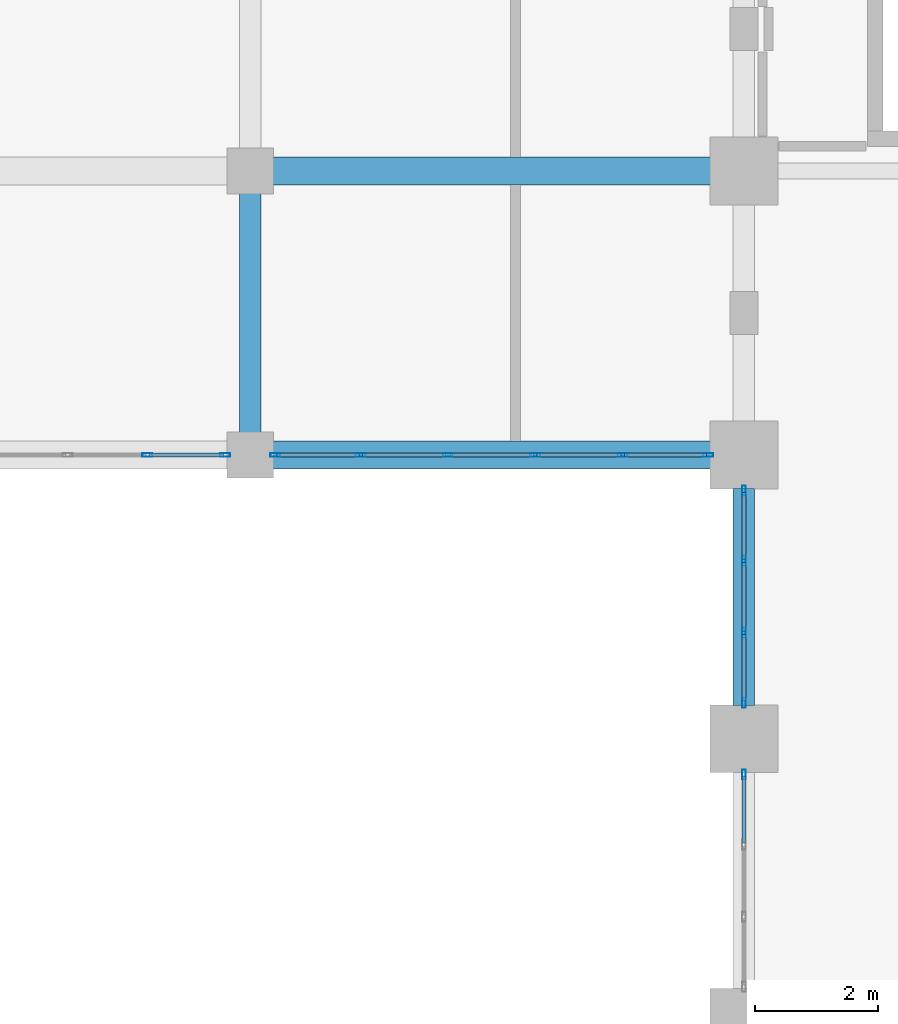
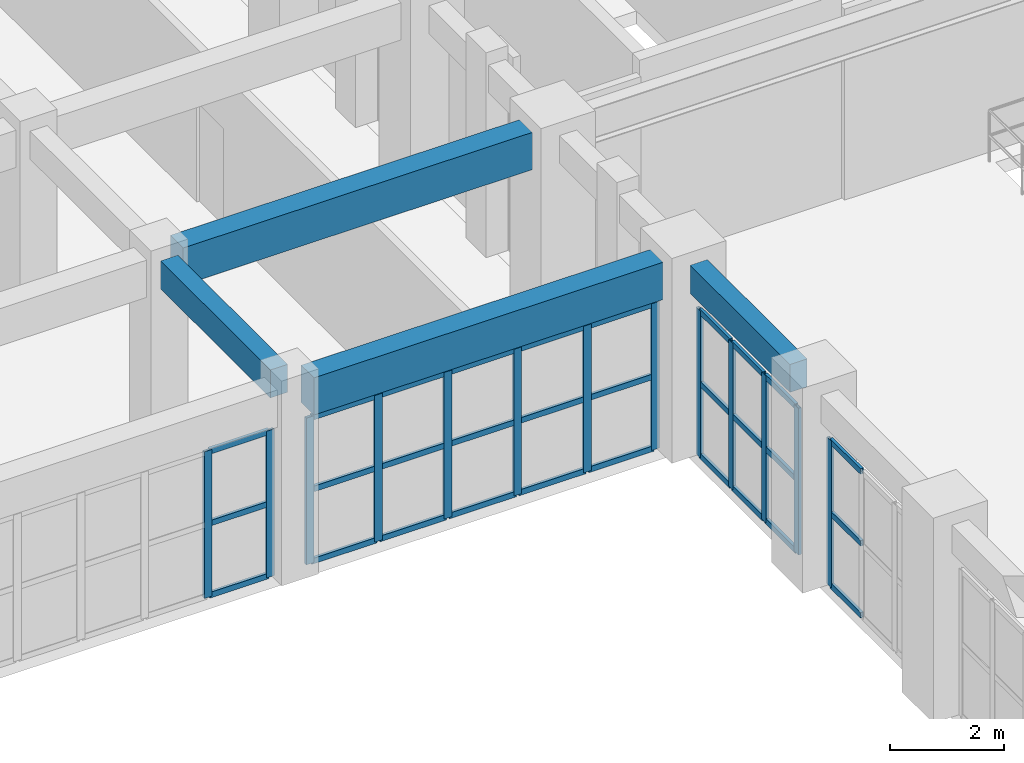
# One storey, part 17 of 90: 43 members, 4 beams, 4 elements without a shape of their own.
"""IFC4 building model written with IfcOpenShell, lengths in metres."""

from ifc_helpers import new_model, si_unit, direction, frame, origin, origin_2d, place, context, subcontext, project, spatial, rectangle, hollow_rectangle, extrude, material, layer, layer_set, material_profile, profile_set, type_object, element, aggregate, save


model = new_model("IFC4")

# Units and contexts
model_context = context("Model", 3, precision=1e-05, world=origin(), true_north=direction((0.0, 1.0)))
body_context = subcontext(model_context, "Body", "Model", "MODEL_VIEW")
ifc_project = project(units=[si_unit("LENGTHUNIT", "METRE"), si_unit("AREAUNIT", "SQUARE_METRE"), si_unit("VOLUMEUNIT", "CUBIC_METRE"), si_unit("PLANEANGLEUNIT", "RADIAN"), si_unit("MASSUNIT", "GRAM", prefix="KILO")], contexts=[model_context])

# Site, building, storey
site_placement = place(None, origin())
site = spatial("IfcSite", under=ifc_project, at=site_placement, CompositionType="ELEMENT")
building_placement = place(site_placement, origin())
building = spatial("IfcBuilding", under=site, at=building_placement, Name="Muzn Square Opera House", CompositionType="ELEMENT")
storey_placement = place(building_placement, frame((0.0, 0.0, 9.800048828125)))
storey = spatial("IfcBuildingStorey", under=building, at=storey_placement, Name="L02", CompositionType="ELEMENT", Elevation=9.800048828125)

# Curtain wall, member
ifc_material_1 = material(Name="Low-E laminated acoustic double glazing", Category="glass")
ifc_layer_1 = layer(ifc_material_1, 0.159912109375, Name="Low-E laminated acoustic double glazing", Category="glass")
ifc_layer_set_1 = layer_set([ifc_layer_1], Name="Low-E laminated acoustic double glazing")
curtain_wall_type_1 = type_object("IfcCurtainWallType", Name="Glazed Curtain Wall WestVaultCourt 3500x3150", PredefinedType="USERDEFINED", material=ifc_layer_set_1)
curtain_wall_1_placement = place(storey_placement, origin())
curtain_wall_1 = element("IfcCurtainWall", 1, at=curtain_wall_1_placement, inside=storey, type_object=curtain_wall_type_1, Name="Glazed Curtain Wall CW-L02-055", ObjectType="GLAZED CURTAIN WALL", PredefinedType="USERDEFINED")
ifc_material_2 = material(Name="Anodised bronze aluminium 6063-T6", Category="metal")
ifc_material_profile_1 = material_profile(ifc_material_2, hollow_rectangle(XDim=0.06005859375, YDim=0.159912109375, WallThickness=0.00390625, at=origin_2d()), Name="ALU 160x60x4", Category="metal")
ifc_profile_set_1 = profile_set([ifc_material_profile_1], Name="Anodised bronze aluminium 6063-T6")
member_type_1 = type_object("IfcMemberType", Name="Curtain Wall Mullion 160x60", PredefinedType="MULLION", material=ifc_profile_set_1)
member_1_placement = place(storey_placement, frame((43.0, 49.02001953125, 0.0), z_axis=(0.0, 0.0, 1.0), x_axis=(-1.0, 0.0, 0.0)))
member_1 = element("IfcMember", 2, at=member_1_placement, type_object=member_type_1, Name="CW-WVC-35x31 mullion 4", PredefinedType="MULLION", context=body_context, shape_type="SweptSolid", body=[
    extrude(hollow_rectangle(XDim=0.06005859375, YDim=0.159912109375, WallThickness=0.00390625, at=origin_2d()), origin(), (0.0, 0.0, 1.0), 3.14990234375),
])

# Curtain wall, members
curtain_wall_2_placement = place(storey_placement, origin())
curtain_wall_2 = element("IfcCurtainWall", 3, at=curtain_wall_2_placement, inside=storey, type_object=curtain_wall_type_1, Name="Glazed Curtain Wall CW-L02-057", ObjectType="GLAZED CURTAIN WALL", PredefinedType="USERDEFINED")
member_2_placement = place(storey_placement, frame((43.0, 50.179931640625, 0.0), z_axis=(0.0, 0.0, 1.0), x_axis=(-1.0, 0.0, 0.0)))
member_2 = element("IfcMember", 4, at=member_2_placement, type_object=member_type_1, Name="CW-WVC-35x31 mullion 1", PredefinedType="MULLION", context=body_context, shape_type="SweptSolid", body=[
    extrude(hollow_rectangle(XDim=0.06005859375, YDim=0.159912109375, WallThickness=0.00390625, at=origin_2d()), origin(), (0.0, 0.0, 1.0), 3.14990234375),
])
member_3_placement = place(storey_placement, frame((43.0, 51.316650390625, 0.0), z_axis=(0.0, 0.0, 1.0), x_axis=(-1.0, 0.0, 0.0)))
member_3 = element("IfcMember", 5, at=member_3_placement, type_object=member_type_1, Name="CW-WVC-35x31 mullion 2", PredefinedType="MULLION", context=body_context, shape_type="SweptSolid", body=[
    extrude(hollow_rectangle(XDim=0.06005859375, YDim=0.159912109375, WallThickness=0.00390625, at=origin_2d()), origin(), (0.0, 0.0, 1.0), 3.14990234375),
])
member_4_placement = place(storey_placement, frame((43.0, 52.4833984375, 0.0), z_axis=(0.0, 0.0, 1.0), x_axis=(-1.0, 0.0, 0.0)))
member_4 = element("IfcMember", 6, at=member_4_placement, type_object=member_type_1, Name="CW-WVC-35x31 mullion 3", PredefinedType="MULLION", context=body_context, shape_type="SweptSolid", body=[
    extrude(hollow_rectangle(XDim=0.06005859375, YDim=0.159912109375, WallThickness=0.00390625, at=origin_2d()), origin(), (0.0, 0.0, 1.0), 3.14990234375),
])
member_5_placement = place(storey_placement, frame((43.0, 53.6201171875, 0.0), z_axis=(0.0, 0.0, 1.0), x_axis=(-1.0, 0.0, 0.0)))
member_5 = element("IfcMember", 7, at=member_5_placement, type_object=member_type_1, Name="CW-WVC-35x31 mullion 4", PredefinedType="MULLION", context=body_context, shape_type="SweptSolid", body=[
    extrude(hollow_rectangle(XDim=0.06005859375, YDim=0.159912109375, WallThickness=0.00390625, at=origin_2d()), origin(), (0.0, 0.0, 1.0), 3.14990234375),
])

ifc_layer_2 = layer(ifc_material_1, 0.159912109375, Name="Low-E laminated acoustic double glazing", Category="glass")
ifc_layer_set_2 = layer_set([ifc_layer_2], Name="Low-E laminated acoustic double glazing")
curtain_wall_type_2 = type_object("IfcCurtainWallType", Name="Glazed Curtain Wall WestCloisterN 7750x3150", PredefinedType="USERDEFINED", material=ifc_layer_set_2)
curtain_wall_3_placement = place(storey_placement, origin())
curtain_wall_3 = element("IfcCurtainWall", 8, at=curtain_wall_3_placement, inside=storey, type_object=curtain_wall_type_2, Name="Glazed Curtain Wall CW-L02-096", ObjectType="GLAZED CURTAIN WALL", PredefinedType="USERDEFINED")
member_6_placement = place(storey_placement, frame((33.333251953125, 54.199951171875, 0.0), z_axis=(0.0, 0.0, 1.0), x_axis=(0.0, 1.0, 0.0)))
member_6 = element("IfcMember", 9, at=member_6_placement, type_object=member_type_1, Name="CW-WCN-77x31 mullion 6", PredefinedType="MULLION", context=body_context, shape_type="SweptSolid", body=[
    extrude(hollow_rectangle(XDim=0.06005859375, YDim=0.159912109375, WallThickness=0.00390625, at=origin_2d()), origin(), (0.0, 0.0, 1.0), 3.14990234375),
])
member_7_placement = place(storey_placement, frame((34.594970703125, 54.199951171875, 0.0), z_axis=(0.0, 0.0, 1.0), x_axis=(0.0, 1.0, 0.0)))
member_7 = element("IfcMember", 10, at=member_7_placement, type_object=member_type_1, Name="CW-WCN-77x31 mullion 7", PredefinedType="MULLION", context=body_context, shape_type="SweptSolid", body=[
    extrude(hollow_rectangle(XDim=0.06005859375, YDim=0.159912109375, WallThickness=0.00390625, at=origin_2d()), origin(), (0.0, 0.0, 1.0), 3.14990234375),
])

ifc_layer_3 = layer(ifc_material_1, 0.159912109375, Name="Low-E laminated acoustic double glazing", Category="glass")
ifc_layer_set_3 = layer_set([ifc_layer_3], Name="Low-E laminated acoustic double glazing")
curtain_wall_type_3 = type_object("IfcCurtainWallType", Name="Glazed Curtain Wall WestCloisterN 7075x3150", PredefinedType="USERDEFINED", material=ifc_layer_set_3)
curtain_wall_4_placement = place(storey_placement, origin())
curtain_wall_4 = element("IfcCurtainWall", 11, at=curtain_wall_4_placement, inside=storey, type_object=curtain_wall_type_3, Name="Glazed Curtain Wall CW-L02-098", ObjectType="GLAZED CURTAIN WALL", PredefinedType="USERDEFINED")
member_8_placement = place(storey_placement, frame((35.405029296875, 54.199951171875, 0.0), z_axis=(0.0, 0.0, 1.0), x_axis=(0.0, 1.0, 0.0)))
member_8 = element("IfcMember", 12, at=member_8_placement, type_object=member_type_1, Name="CW-WCN-70x31 mullion 1", PredefinedType="MULLION", context=body_context, shape_type="SweptSolid", body=[
    extrude(hollow_rectangle(XDim=0.06005859375, YDim=0.159912109375, WallThickness=0.00390625, at=origin_2d()), origin(), (0.0, 0.0, 1.0), 3.14990234375),
])
member_9_placement = place(storey_placement, frame((36.7900390625, 54.199951171875, 0.0), z_axis=(0.0, 0.0, 1.0), x_axis=(0.0, 1.0, 0.0)))
member_9 = element("IfcMember", 13, at=member_9_placement, type_object=member_type_1, Name="CW-WCN-70x31 mullion 2", PredefinedType="MULLION", context=body_context, shape_type="SweptSolid", body=[
    extrude(hollow_rectangle(XDim=0.06005859375, YDim=0.159912109375, WallThickness=0.00390625, at=origin_2d()), origin(), (0.0, 0.0, 1.0), 3.14990234375),
])
member_10_placement = place(storey_placement, frame((38.205078125, 54.199951171875, 0.0), z_axis=(0.0, 0.0, 1.0), x_axis=(0.0, 1.0, 0.0)))
member_10 = element("IfcMember", 14, at=member_10_placement, type_object=member_type_1, Name="CW-WCN-70x31 mullion 3", PredefinedType="MULLION", context=body_context, shape_type="SweptSolid", body=[
    extrude(hollow_rectangle(XDim=0.06005859375, YDim=0.159912109375, WallThickness=0.00390625, at=origin_2d()), origin(), (0.0, 0.0, 1.0), 3.14990234375),
])
member_11_placement = place(storey_placement, frame((39.6201171875, 54.199951171875, 0.0), z_axis=(0.0, 0.0, 1.0), x_axis=(0.0, 1.0, 0.0)))
member_11 = element("IfcMember", 15, at=member_11_placement, type_object=member_type_1, Name="CW-WCN-70x31 mullion 4", PredefinedType="MULLION", context=body_context, shape_type="SweptSolid", body=[
    extrude(hollow_rectangle(XDim=0.06005859375, YDim=0.159912109375, WallThickness=0.00390625, at=origin_2d()), origin(), (0.0, 0.0, 1.0), 3.14990234375),
])
member_12_placement = place(storey_placement, frame((41.034912109375, 54.199951171875, 0.0), z_axis=(0.0, 0.0, 1.0), x_axis=(0.0, 1.0, 0.0)))
member_12 = element("IfcMember", 16, at=member_12_placement, type_object=member_type_1, Name="CW-WCN-70x31 mullion 5", PredefinedType="MULLION", context=body_context, shape_type="SweptSolid", body=[
    extrude(hollow_rectangle(XDim=0.06005859375, YDim=0.159912109375, WallThickness=0.00390625, at=origin_2d()), origin(), (0.0, 0.0, 1.0), 3.14990234375),
])
member_13_placement = place(storey_placement, frame((42.419921875, 54.199951171875, 0.0), z_axis=(0.0, 0.0, 1.0), x_axis=(0.0, 1.0, 0.0)))
member_13 = element("IfcMember", 17, at=member_13_placement, type_object=member_type_1, Name="CW-WCN-70x31 mullion 6", PredefinedType="MULLION", context=body_context, shape_type="SweptSolid", body=[
    extrude(hollow_rectangle(XDim=0.06005859375, YDim=0.159912109375, WallThickness=0.00390625, at=origin_2d()), origin(), (0.0, 0.0, 1.0), 3.14990234375),
])

# Member
ifc_material_profile_2 = material_profile(ifc_material_2, hollow_rectangle(XDim=0.06005859375, YDim=0.1201171875, WallThickness=0.00390625, at=origin_2d()), Name="ALU 120x60x4", Category="metal")
ifc_profile_set_2 = profile_set([ifc_material_profile_2], Name="Anodised bronze aluminium 6063-T6")
member_type_2 = type_object("IfcMemberType", Name="Curtain Wall Transom 120x60", PredefinedType="USERDEFINED", material=ifc_profile_set_2)
member_14_placement = place(storey_placement, frame((43.0, 47.913330078125, 0.030029296875), z_axis=(0.0, 1.0, 0.0), x_axis=(-1.0, 0.0, 0.0)))
member_14 = element("IfcMember", 18, at=member_14_placement, type_object=member_type_2, Name="CW-WVC-35x31 transom 3.1", ObjectType="TRANSOM", PredefinedType="USERDEFINED", context=body_context, shape_type="SweptSolid", body=[
    extrude(hollow_rectangle(XDim=0.06005859375, YDim=0.1201171875, WallThickness=0.00390625, at=origin_2d()), origin(), (0.0, 0.0, 1.0), 1.07666015625),
])

member_15_placement = place(storey_placement, frame((43.0, 47.913330078125, 1.574951171875), z_axis=(0.0, 1.0, 0.0), x_axis=(-1.0, 0.0, 0.0)))
member_15 = element("IfcMember", 19, at=member_15_placement, type_object=member_type_2, Name="CW-WVC-35x31 transom 3.2", ObjectType="TRANSOM", PredefinedType="USERDEFINED", context=body_context, shape_type="SweptSolid", body=[
    extrude(hollow_rectangle(XDim=0.06005859375, YDim=0.1201171875, WallThickness=0.00390625, at=origin_2d()), origin(), (0.0, 0.0, 1.0), 1.07666015625),
])

member_16_placement = place(storey_placement, frame((43.0, 47.913330078125, 3.119873046875), z_axis=(0.0, 1.0, 0.0), x_axis=(-1.0, 0.0, 0.0)))
member_16 = element("IfcMember", 20, at=member_16_placement, type_object=member_type_2, Name="CW-WVC-35x31 transom 3.3", ObjectType="TRANSOM", PredefinedType="USERDEFINED", context=body_context, shape_type="SweptSolid", body=[
    extrude(hollow_rectangle(XDim=0.06005859375, YDim=0.1201171875, WallThickness=0.00390625, at=origin_2d()), origin(), (0.0, 0.0, 1.0), 1.07666015625),
])

aggregate(curtain_wall_1, [member_1, member_14, member_15, member_16])

member_17_placement = place(storey_placement, frame((43.0, 50.2099609375, 0.030029296875), z_axis=(0.0, 1.0, 0.0), x_axis=(-1.0, 0.0, 0.0)))
member_17 = element("IfcMember", 21, at=member_17_placement, type_object=member_type_2, Name="CW-WVC-35x31 transom 1.1", ObjectType="TRANSOM", PredefinedType="USERDEFINED", context=body_context, shape_type="SweptSolid", body=[
    extrude(hollow_rectangle(XDim=0.06005859375, YDim=0.1201171875, WallThickness=0.00390625, at=origin_2d()), origin(), (0.0, 0.0, 1.0), 1.07666015625),
])

member_18_placement = place(storey_placement, frame((43.0, 50.2099609375, 1.574951171875), z_axis=(0.0, 1.0, 0.0), x_axis=(-1.0, 0.0, 0.0)))
member_18 = element("IfcMember", 22, at=member_18_placement, type_object=member_type_2, Name="CW-WVC-35x31 transom 1.2", ObjectType="TRANSOM", PredefinedType="USERDEFINED", context=body_context, shape_type="SweptSolid", body=[
    extrude(hollow_rectangle(XDim=0.06005859375, YDim=0.1201171875, WallThickness=0.00390625, at=origin_2d()), origin(), (0.0, 0.0, 1.0), 1.07666015625),
])

member_19_placement = place(storey_placement, frame((43.0, 50.2099609375, 3.119873046875), z_axis=(0.0, 1.0, 0.0), x_axis=(-1.0, 0.0, 0.0)))
member_19 = element("IfcMember", 23, at=member_19_placement, type_object=member_type_2, Name="CW-WVC-35x31 transom 1.3", ObjectType="TRANSOM", PredefinedType="USERDEFINED", context=body_context, shape_type="SweptSolid", body=[
    extrude(hollow_rectangle(XDim=0.06005859375, YDim=0.1201171875, WallThickness=0.00390625, at=origin_2d()), origin(), (0.0, 0.0, 1.0), 1.07666015625),
])

member_20_placement = place(storey_placement, frame((43.0, 51.3466796875, 0.030029296875), z_axis=(0.0, 1.0, 0.0), x_axis=(-1.0, 0.0, 0.0)))
member_20 = element("IfcMember", 24, at=member_20_placement, type_object=member_type_2, Name="CW-WVC-35x31 transom 2.1", ObjectType="TRANSOM", PredefinedType="USERDEFINED", context=body_context, shape_type="SweptSolid", body=[
    extrude(hollow_rectangle(XDim=0.06005859375, YDim=0.1201171875, WallThickness=0.00390625, at=origin_2d()), origin(), (0.0, 0.0, 1.0), 1.106689453125),
])

member_21_placement = place(storey_placement, frame((43.0, 51.3466796875, 1.574951171875), z_axis=(0.0, 1.0, 0.0), x_axis=(-1.0, 0.0, 0.0)))
member_21 = element("IfcMember", 25, at=member_21_placement, type_object=member_type_2, Name="CW-WVC-35x31 transom 2.2", ObjectType="TRANSOM", PredefinedType="USERDEFINED", context=body_context, shape_type="SweptSolid", body=[
    extrude(hollow_rectangle(XDim=0.06005859375, YDim=0.1201171875, WallThickness=0.00390625, at=origin_2d()), origin(), (0.0, 0.0, 1.0), 1.106689453125),
])

member_22_placement = place(storey_placement, frame((43.0, 51.3466796875, 3.119873046875), z_axis=(0.0, 1.0, 0.0), x_axis=(-1.0, 0.0, 0.0)))
member_22 = element("IfcMember", 26, at=member_22_placement, type_object=member_type_2, Name="CW-WVC-35x31 transom 2.3", ObjectType="TRANSOM", PredefinedType="USERDEFINED", context=body_context, shape_type="SweptSolid", body=[
    extrude(hollow_rectangle(XDim=0.06005859375, YDim=0.1201171875, WallThickness=0.00390625, at=origin_2d()), origin(), (0.0, 0.0, 1.0), 1.106689453125),
])

member_23_placement = place(storey_placement, frame((43.0, 52.513427734375, 0.030029296875), z_axis=(0.0, 1.0, 0.0), x_axis=(-1.0, 0.0, 0.0)))
member_23 = element("IfcMember", 27, at=member_23_placement, type_object=member_type_2, Name="CW-WVC-35x31 transom 3.1", ObjectType="TRANSOM", PredefinedType="USERDEFINED", context=body_context, shape_type="SweptSolid", body=[
    extrude(hollow_rectangle(XDim=0.06005859375, YDim=0.1201171875, WallThickness=0.00390625, at=origin_2d()), origin(), (0.0, 0.0, 1.0), 1.07666015625),
])

member_24_placement = place(storey_placement, frame((43.0, 52.513427734375, 1.574951171875), z_axis=(0.0, 1.0, 0.0), x_axis=(-1.0, 0.0, 0.0)))
member_24 = element("IfcMember", 28, at=member_24_placement, type_object=member_type_2, Name="CW-WVC-35x31 transom 3.2", ObjectType="TRANSOM", PredefinedType="USERDEFINED", context=body_context, shape_type="SweptSolid", body=[
    extrude(hollow_rectangle(XDim=0.06005859375, YDim=0.1201171875, WallThickness=0.00390625, at=origin_2d()), origin(), (0.0, 0.0, 1.0), 1.07666015625),
])

member_25_placement = place(storey_placement, frame((43.0, 52.513427734375, 3.119873046875), z_axis=(0.0, 1.0, 0.0), x_axis=(-1.0, 0.0, 0.0)))
member_25 = element("IfcMember", 29, at=member_25_placement, type_object=member_type_2, Name="CW-WVC-35x31 transom 3.3", ObjectType="TRANSOM", PredefinedType="USERDEFINED", context=body_context, shape_type="SweptSolid", body=[
    extrude(hollow_rectangle(XDim=0.06005859375, YDim=0.1201171875, WallThickness=0.00390625, at=origin_2d()), origin(), (0.0, 0.0, 1.0), 1.07666015625),
])

aggregate(curtain_wall_2, [member_2, member_3, member_4, member_5, member_17, member_18, member_19, member_20, member_21, member_22, member_23, member_24, member_25])

member_26_placement = place(storey_placement, frame((33.36328125, 54.199951171875, 0.030029296875), z_axis=(1.0, 0.0, 0.0), x_axis=(0.0, 1.0, 0.0)))
member_26 = element("IfcMember", 30, at=member_26_placement, type_object=member_type_2, Name="CW-WCN-77x31 transom 6.1", ObjectType="TRANSOM", PredefinedType="USERDEFINED", context=body_context, shape_type="SweptSolid", body=[
    extrude(hollow_rectangle(XDim=0.06005859375, YDim=0.1201171875, WallThickness=0.00390625, at=origin_2d()), origin(), (0.0, 0.0, 1.0), 1.20166015625),
])

member_27_placement = place(storey_placement, frame((33.36328125, 54.199951171875, 1.574951171875), z_axis=(1.0, 0.0, 0.0), x_axis=(0.0, 1.0, 0.0)))
member_27 = element("IfcMember", 31, at=member_27_placement, type_object=member_type_2, Name="CW-WCN-77x31 transom 6.2", ObjectType="TRANSOM", PredefinedType="USERDEFINED", context=body_context, shape_type="SweptSolid", body=[
    extrude(hollow_rectangle(XDim=0.06005859375, YDim=0.1201171875, WallThickness=0.00390625, at=origin_2d()), origin(), (0.0, 0.0, 1.0), 1.20166015625),
])

member_28_placement = place(storey_placement, frame((33.36328125, 54.199951171875, 3.119873046875), z_axis=(1.0, 0.0, 0.0), x_axis=(0.0, 1.0, 0.0)))
member_28 = element("IfcMember", 32, at=member_28_placement, type_object=member_type_2, Name="CW-WCN-77x31 transom 6.3", ObjectType="TRANSOM", PredefinedType="USERDEFINED", context=body_context, shape_type="SweptSolid", body=[
    extrude(hollow_rectangle(XDim=0.06005859375, YDim=0.1201171875, WallThickness=0.00390625, at=origin_2d()), origin(), (0.0, 0.0, 1.0), 1.20166015625),
])

aggregate(curtain_wall_3, [member_6, member_7, member_26, member_27, member_28])

member_29_placement = place(storey_placement, frame((35.43505859375, 54.199951171875, 0.030029296875), z_axis=(1.0, 0.0, 0.0), x_axis=(0.0, 1.0, 0.0)))
member_29 = element("IfcMember", 33, at=member_29_placement, type_object=member_type_2, Name="CW-WCN-70x31 transom 1.1", ObjectType="TRANSOM", PredefinedType="USERDEFINED", context=body_context, shape_type="SweptSolid", body=[
    extrude(hollow_rectangle(XDim=0.06005859375, YDim=0.1201171875, WallThickness=0.00390625, at=origin_2d()), origin(), (0.0, 0.0, 1.0), 1.324951171875),
])

member_30_placement = place(storey_placement, frame((35.43505859375, 54.199951171875, 1.574951171875), z_axis=(1.0, 0.0, 0.0), x_axis=(0.0, 1.0, 0.0)))
member_30 = element("IfcMember", 34, at=member_30_placement, type_object=member_type_2, Name="CW-WCN-70x31 transom 1.2", ObjectType="TRANSOM", PredefinedType="USERDEFINED", context=body_context, shape_type="SweptSolid", body=[
    extrude(hollow_rectangle(XDim=0.06005859375, YDim=0.1201171875, WallThickness=0.00390625, at=origin_2d()), origin(), (0.0, 0.0, 1.0), 1.324951171875),
])

member_31_placement = place(storey_placement, frame((35.43505859375, 54.199951171875, 3.119873046875), z_axis=(1.0, 0.0, 0.0), x_axis=(0.0, 1.0, 0.0)))
member_31 = element("IfcMember", 35, at=member_31_placement, type_object=member_type_2, Name="CW-WCN-70x31 transom 1.3", ObjectType="TRANSOM", PredefinedType="USERDEFINED", context=body_context, shape_type="SweptSolid", body=[
    extrude(hollow_rectangle(XDim=0.06005859375, YDim=0.1201171875, WallThickness=0.00390625, at=origin_2d()), origin(), (0.0, 0.0, 1.0), 1.324951171875),
])

member_32_placement = place(storey_placement, frame((36.820068359375, 54.199951171875, 0.030029296875), z_axis=(1.0, 0.0, 0.0), x_axis=(0.0, 1.0, 0.0)))
member_32 = element("IfcMember", 36, at=member_32_placement, type_object=member_type_2, Name="CW-WCN-70x31 transom 2.1", ObjectType="TRANSOM", PredefinedType="USERDEFINED", context=body_context, shape_type="SweptSolid", body=[
    extrude(hollow_rectangle(XDim=0.06005859375, YDim=0.1201171875, WallThickness=0.00390625, at=origin_2d()), origin(), (0.0, 0.0, 1.0), 1.35498046875),
])

member_33_placement = place(storey_placement, frame((36.820068359375, 54.199951171875, 1.574951171875), z_axis=(1.0, 0.0, 0.0), x_axis=(0.0, 1.0, 0.0)))
member_33 = element("IfcMember", 37, at=member_33_placement, type_object=member_type_2, Name="CW-WCN-70x31 transom 2.2", ObjectType="TRANSOM", PredefinedType="USERDEFINED", context=body_context, shape_type="SweptSolid", body=[
    extrude(hollow_rectangle(XDim=0.06005859375, YDim=0.1201171875, WallThickness=0.00390625, at=origin_2d()), origin(), (0.0, 0.0, 1.0), 1.35498046875),
])

member_34_placement = place(storey_placement, frame((36.820068359375, 54.199951171875, 3.119873046875), z_axis=(1.0, 0.0, 0.0), x_axis=(0.0, 1.0, 0.0)))
member_34 = element("IfcMember", 38, at=member_34_placement, type_object=member_type_2, Name="CW-WCN-70x31 transom 2.3", ObjectType="TRANSOM", PredefinedType="USERDEFINED", context=body_context, shape_type="SweptSolid", body=[
    extrude(hollow_rectangle(XDim=0.06005859375, YDim=0.1201171875, WallThickness=0.00390625, at=origin_2d()), origin(), (0.0, 0.0, 1.0), 1.35498046875),
])

member_35_placement = place(storey_placement, frame((38.235107421875, 54.199951171875, 0.030029296875), z_axis=(1.0, 0.0, 0.0), x_axis=(0.0, 1.0, 0.0)))
member_35 = element("IfcMember", 39, at=member_35_placement, type_object=member_type_2, Name="CW-WCN-70x31 transom 3.1", ObjectType="TRANSOM", PredefinedType="USERDEFINED", context=body_context, shape_type="SweptSolid", body=[
    extrude(hollow_rectangle(XDim=0.06005859375, YDim=0.1201171875, WallThickness=0.00390625, at=origin_2d()), origin(), (0.0, 0.0, 1.0), 1.35498046875),
])

member_36_placement = place(storey_placement, frame((38.235107421875, 54.199951171875, 1.574951171875), z_axis=(1.0, 0.0, 0.0), x_axis=(0.0, 1.0, 0.0)))
member_36 = element("IfcMember", 40, at=member_36_placement, type_object=member_type_2, Name="CW-WCN-70x31 transom 3.2", ObjectType="TRANSOM", PredefinedType="USERDEFINED", context=body_context, shape_type="SweptSolid", body=[
    extrude(hollow_rectangle(XDim=0.06005859375, YDim=0.1201171875, WallThickness=0.00390625, at=origin_2d()), origin(), (0.0, 0.0, 1.0), 1.35498046875),
])

member_37_placement = place(storey_placement, frame((38.235107421875, 54.199951171875, 3.119873046875), z_axis=(1.0, 0.0, 0.0), x_axis=(0.0, 1.0, 0.0)))
member_37 = element("IfcMember", 41, at=member_37_placement, type_object=member_type_2, Name="CW-WCN-70x31 transom 3.3", ObjectType="TRANSOM", PredefinedType="USERDEFINED", context=body_context, shape_type="SweptSolid", body=[
    extrude(hollow_rectangle(XDim=0.06005859375, YDim=0.1201171875, WallThickness=0.00390625, at=origin_2d()), origin(), (0.0, 0.0, 1.0), 1.35498046875),
])

member_38_placement = place(storey_placement, frame((39.64990234375, 54.199951171875, 0.030029296875), z_axis=(1.0, 0.0, 0.0), x_axis=(0.0, 1.0, 0.0)))
member_38 = element("IfcMember", 42, at=member_38_placement, type_object=member_type_2, Name="CW-WCN-70x31 transom 4.1", ObjectType="TRANSOM", PredefinedType="USERDEFINED", context=body_context, shape_type="SweptSolid", body=[
    extrude(hollow_rectangle(XDim=0.06005859375, YDim=0.1201171875, WallThickness=0.00390625, at=origin_2d()), origin(), (0.0, 0.0, 1.0), 1.35498046875),
])

member_39_placement = place(storey_placement, frame((39.64990234375, 54.199951171875, 1.574951171875), z_axis=(1.0, 0.0, 0.0), x_axis=(0.0, 1.0, 0.0)))
member_39 = element("IfcMember", 43, at=member_39_placement, type_object=member_type_2, Name="CW-WCN-70x31 transom 4.2", ObjectType="TRANSOM", PredefinedType="USERDEFINED", context=body_context, shape_type="SweptSolid", body=[
    extrude(hollow_rectangle(XDim=0.06005859375, YDim=0.1201171875, WallThickness=0.00390625, at=origin_2d()), origin(), (0.0, 0.0, 1.0), 1.35498046875),
])

member_40_placement = place(storey_placement, frame((39.64990234375, 54.199951171875, 3.119873046875), z_axis=(1.0, 0.0, 0.0), x_axis=(0.0, 1.0, 0.0)))
member_40 = element("IfcMember", 44, at=member_40_placement, type_object=member_type_2, Name="CW-WCN-70x31 transom 4.3", ObjectType="TRANSOM", PredefinedType="USERDEFINED", context=body_context, shape_type="SweptSolid", body=[
    extrude(hollow_rectangle(XDim=0.06005859375, YDim=0.1201171875, WallThickness=0.00390625, at=origin_2d()), origin(), (0.0, 0.0, 1.0), 1.35498046875),
])

member_41_placement = place(storey_placement, frame((41.06494140625, 54.199951171875, 0.030029296875), z_axis=(1.0, 0.0, 0.0), x_axis=(0.0, 1.0, 0.0)))
member_41 = element("IfcMember", 45, at=member_41_placement, type_object=member_type_2, Name="CW-WCN-70x31 transom 5.1", ObjectType="TRANSOM", PredefinedType="USERDEFINED", context=body_context, shape_type="SweptSolid", body=[
    extrude(hollow_rectangle(XDim=0.06005859375, YDim=0.1201171875, WallThickness=0.00390625, at=origin_2d()), origin(), (0.0, 0.0, 1.0), 1.324951171875),
])

member_42_placement = place(storey_placement, frame((41.06494140625, 54.199951171875, 1.574951171875), z_axis=(1.0, 0.0, 0.0), x_axis=(0.0, 1.0, 0.0)))
member_42 = element("IfcMember", 46, at=member_42_placement, type_object=member_type_2, Name="CW-WCN-70x31 transom 5.2", ObjectType="TRANSOM", PredefinedType="USERDEFINED", context=body_context, shape_type="SweptSolid", body=[
    extrude(hollow_rectangle(XDim=0.06005859375, YDim=0.1201171875, WallThickness=0.00390625, at=origin_2d()), origin(), (0.0, 0.0, 1.0), 1.324951171875),
])

member_43_placement = place(storey_placement, frame((41.06494140625, 54.199951171875, 3.119873046875), z_axis=(1.0, 0.0, 0.0), x_axis=(0.0, 1.0, 0.0)))
member_43 = element("IfcMember", 47, at=member_43_placement, type_object=member_type_2, Name="CW-WCN-70x31 transom 5.3", ObjectType="TRANSOM", PredefinedType="USERDEFINED", context=body_context, shape_type="SweptSolid", body=[
    extrude(hollow_rectangle(XDim=0.06005859375, YDim=0.1201171875, WallThickness=0.00390625, at=origin_2d()), origin(), (0.0, 0.0, 1.0), 1.324951171875),
])

aggregate(curtain_wall_4, [member_8, member_9, member_10, member_11, member_12, member_13, member_29, member_30, member_31, member_32, member_33, member_34, member_35, member_36, member_37, member_38, member_39, member_40, member_41, member_42, member_43])

# Beams
ifc_material_3 = material(Name="Concrete C40/50", Category="concrete")
ifc_material_profile_3 = material_profile(ifc_material_3, rectangle(XDim=0.35009765625, YDim=0.60009765625, at=origin_2d()), Name="RCB 350x600", Category="concrete")
ifc_profile_set_3 = profile_set([ifc_material_profile_3], Name="Concrete C40/50")
beam_type_1 = type_object("IfcBeamType", Name="Primary Girder 350x600", PredefinedType="BEAM", material=ifc_profile_set_3)
beam_1_placement = place(storey_placement, frame((35.0, 54.56689453125, 3.820068359375), z_axis=(0.0, 1.0, 0.0), x_axis=(-1.0, 0.0, 0.0)))
element("IfcBeam", 48, at=beam_1_placement, inside=storey, type_object=beam_type_1, Name="Primary Girder BM-L02-BM-PG600-350_546_350_584-2145", PredefinedType="BEAM", context=body_context, shape_type="SweptSolid", body=[
    extrude(rectangle(XDim=0.35009765625, YDim=0.60009765625, at=origin_2d()), origin(), (0.0, 0.0, 1.0), 3.8662109375),
])
beam_2_placement = place(storey_placement, frame((43.0, 50.14208984375, 3.820068359375), z_axis=(0.0, 1.0, 0.0), x_axis=(-1.0, 0.0, 0.0)))
element("IfcBeam", 49, at=beam_2_placement, inside=storey, type_object=beam_type_1, Name="Primary Girder BM-L02-BM-PG600-430_501_430_537-2159", PredefinedType="BEAM", context=body_context, shape_type="SweptSolid", body=[
    extrude(rectangle(XDim=0.35009765625, YDim=0.60009765625, at=origin_2d()), origin(), (0.0, 0.0, 1.0), 3.515869140625),
])
ifc_material_profile_4 = material_profile(ifc_material_3, rectangle(XDim=0.449951171875, YDim=0.800048828125, at=origin_2d()), Name="RCB 450x800", Category="concrete")
ifc_profile_set_4 = profile_set([ifc_material_profile_4], Name="Concrete C40/50")
beam_type_2 = type_object("IfcBeamType", Name="Primary Girder 450x800", PredefinedType="BEAM", material=ifc_profile_set_4)
for number, where, z_axis, x_axis, name in (
    (50, (35.366943359375, 54.199951171875, 3.719970703125), (1.0, 0.0, 0.0), (0.0, 1.0, 0.0), "Primary Girder BM-L02-BM-PG800-354_542_425_542-2011"),
    (51, (35.366943359375, 58.800048828125, 3.719970703125), (1.0, 0.0, 0.0), (0.0, 1.0, 0.0), "Primary Girder BM-L02-BM-PG800-354_588_425_588-2017"),
):
    element("IfcBeam", number, at=place(storey_placement, frame(where, z_axis=z_axis, x_axis=x_axis)), inside=storey, type_object=beam_type_2, Name=name, PredefinedType="BEAM", context=body_context, shape_type="SweptSolid", body=[
        extrude(rectangle(XDim=0.449951171875, YDim=0.800048828125, at=origin_2d()), origin(), (0.0, 0.0, 1.0), 7.091064453125),
    ])

save(model, "model.ifc")
